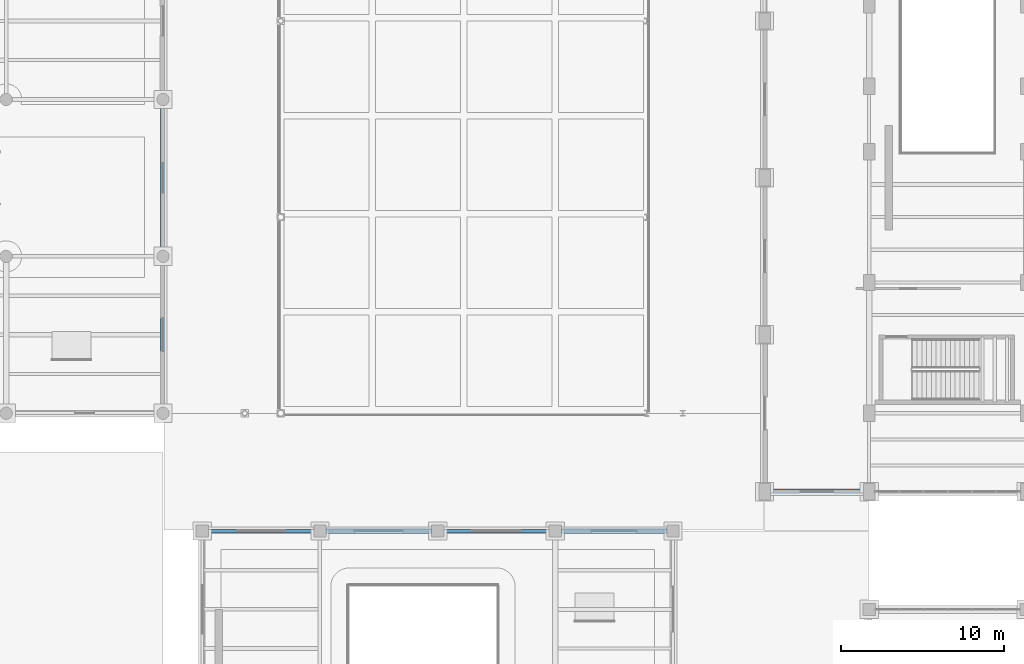
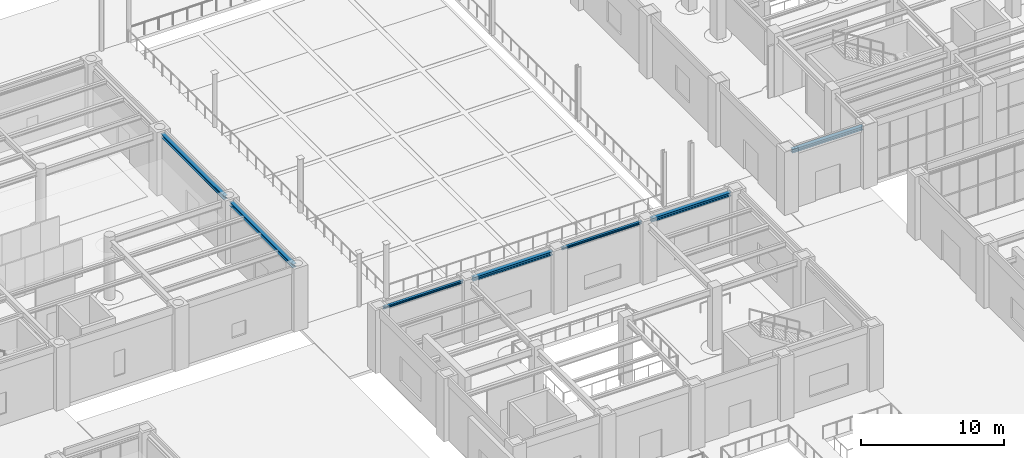
# One storey, part 52 of 164: 7 beams.
"""IFC4 building model written with IfcOpenShell, lengths in metres."""

from ifc_helpers import new_model, si_unit, direction, frame, origin, origin_2d, place, context, subcontext, project, spatial, i_section, extrude, material, material_profile, profile_set, type_object, element, save


model = new_model("IFC4")

# Units and contexts
model_context = context("Model", 3, precision=1e-05, world=origin(), true_north=direction((0.0, 1.0)))
body_context = subcontext(model_context, "Body", "Model", "MODEL_VIEW")
ifc_project = project(units=[si_unit("LENGTHUNIT", "METRE"), si_unit("AREAUNIT", "SQUARE_METRE"), si_unit("VOLUMEUNIT", "CUBIC_METRE"), si_unit("PLANEANGLEUNIT", "RADIAN"), si_unit("MASSUNIT", "GRAM", prefix="KILO")], contexts=[model_context])

# Site, building, storey
site_placement = place(None, origin())
site = spatial("IfcSite", under=ifc_project, at=site_placement, CompositionType="ELEMENT")
building_placement = place(site_placement, origin())
building = spatial("IfcBuilding", under=site, at=building_placement, Name="Mavantir Sound Aquarium", CompositionType="ELEMENT")
storey_placement = place(building_placement, origin())
storey = spatial("IfcBuildingStorey", under=building, at=storey_placement, Name="L00", CompositionType="ELEMENT", Elevation=0.0)

# Beams
ifc_material = material(Name="Structural Steel ASTM A992 Gr50", Category="steel")
ifc_material_profile_1 = material_profile(ifc_material, i_section(OverallWidth=0.202880859375, OverallDepth=0.202880859375, WebThickness=0.007080078125, FlangeThickness=0.010986328125, FilletRadius=0.010009765625, at=origin_2d()), Name="W200X46")
ifc_profile_set_1 = profile_set([ifc_material_profile_1], Name="Structural Steel ASTM A992 Gr50")
beam_type_1 = type_object("IfcBeamType", Name="BM-W200X46-E", PredefinedType="LINTEL", material=ifc_profile_set_1)
for number, where, z_axis, x_axis, name in (
    (1, (67.574951171875, 33.60009765625, 4.994384765625), (1.0, 0.0, 0.0), (0.0, 1.0, 0.0), "L00 primary beam SL-20 1108"),
    (2, (81.97509765625, 33.60009765625, 4.994384765625), (1.0, 0.0, 0.0), (0.0, 1.0, 0.0), "L00 primary beam SL-20 1110"),
):
    element("IfcBeam", number, at=place(storey_placement, frame(where, z_axis=z_axis, x_axis=x_axis)), inside=storey, type_object=beam_type_1, Name=name, PredefinedType="LINTEL", context=body_context, shape_type="SweptSolid", body=[
        extrude(i_section(OverallWidth=0.202880859375, OverallDepth=0.202880859375, WebThickness=0.007080078125, FlangeThickness=0.010986328125, FilletRadius=0.010009765625, at=origin_2d()), origin(), (0.0, 0.0, 1.0), 6.449951171875),
    ])
ifc_material_profile_2 = material_profile(ifc_material, i_section(OverallWidth=0.304931640625, OverallDepth=0.30810546875, WebThickness=0.010009765625, FlangeThickness=0.015380859375, FilletRadius=0.014892578125, at=origin_2d()), Name="W310X97")
ifc_profile_set_2 = profile_set([ifc_material_profile_2], Name="Structural Steel ASTM A992 Gr50")
beam_type_2 = type_object("IfcBeamType", Name="BM-W310X97-E", PredefinedType="SPANDREL", material=ifc_profile_set_2)
beam_1_placement = place(storey_placement, frame((64.800048828125, 41.175048828125, 4.94189453125), z_axis=(0.0, 1.0, 0.0), x_axis=(-1.0, 0.0, 0.0)))
element("IfcBeam", 3, at=beam_1_placement, inside=storey, type_object=beam_type_2, Name="L00 primary girder SS-31A 885", PredefinedType="SPANDREL", context=body_context, shape_type="SweptSolid", body=[
    extrude(i_section(OverallWidth=0.304931640625, OverallDepth=0.30810546875, WebThickness=0.010009765625, FlangeThickness=0.015380859375, FilletRadius=0.014892578125, at=origin_2d()), origin(), (0.0, 0.0, 1.0), 8.849853515625),
])
beam_2_placement = place(storey_placement, frame((64.800048828125, 50.77490234375, 4.94189453125), z_axis=(0.0, 1.0, 0.0), x_axis=(-1.0, 0.0, 0.0)))
element("IfcBeam", 4, at=beam_2_placement, inside=storey, type_object=beam_type_2, Name="L00 primary girder SS-31A 886", PredefinedType="SPANDREL", context=body_context, shape_type="SweptSolid", body=[
    extrude(i_section(OverallWidth=0.304931640625, OverallDepth=0.30810546875, WebThickness=0.010009765625, FlangeThickness=0.015380859375, FilletRadius=0.014892578125, at=origin_2d()), origin(), (0.0, 0.0, 1.0), 8.85009765625),
])
beam_3_placement = place(storey_placement, frame((101.949951171875, 36.0, 4.912109375), z_axis=(1.0, 0.0, 0.0), x_axis=(0.0, 1.0, 0.0)))
element("IfcBeam", 5, at=beam_3_placement, inside=storey, type_object=beam_type_2, Name="L00 primary beam SS-31A 923", PredefinedType="SPANDREL", context=body_context, shape_type="SweptSolid", body=[
    extrude(i_section(OverallWidth=0.304931640625, OverallDepth=0.30810546875, WebThickness=0.010009765625, FlangeThickness=0.015380859375, FilletRadius=0.014892578125, at=origin_2d()), origin(), (0.0, 0.0, 1.0), 5.699951171875),
])
beam_4_placement = place(storey_placement, frame((74.77490234375, 33.60009765625, 4.94189453125), z_axis=(1.0, 0.0, 0.0), x_axis=(0.0, 1.0, 0.0)))
element("IfcBeam", 6, at=beam_4_placement, inside=storey, type_object=beam_type_2, Name="L00 primary beam SS-31A 1109", PredefinedType="SPANDREL", context=body_context, shape_type="SweptSolid", body=[
    extrude(i_section(OverallWidth=0.304931640625, OverallDepth=0.30810546875, WebThickness=0.010009765625, FlangeThickness=0.015380859375, FilletRadius=0.014892578125, at=origin_2d()), origin(), (0.0, 0.0, 1.0), 6.4501953125),
])
beam_5_placement = place(storey_placement, frame((89.175048828125, 33.60009765625, 4.94189453125), z_axis=(1.0, 0.0, 0.0), x_axis=(0.0, 1.0, 0.0)))
element("IfcBeam", 7, at=beam_5_placement, inside=storey, type_object=beam_type_2, Name="L00 primary beam SS-31A 1111", PredefinedType="SPANDREL", context=body_context, shape_type="SweptSolid", body=[
    extrude(i_section(OverallWidth=0.304931640625, OverallDepth=0.30810546875, WebThickness=0.010009765625, FlangeThickness=0.015380859375, FilletRadius=0.014892578125, at=origin_2d()), origin(), (0.0, 0.0, 1.0), 6.449951171875),
])

save(model, "model.ifc")
